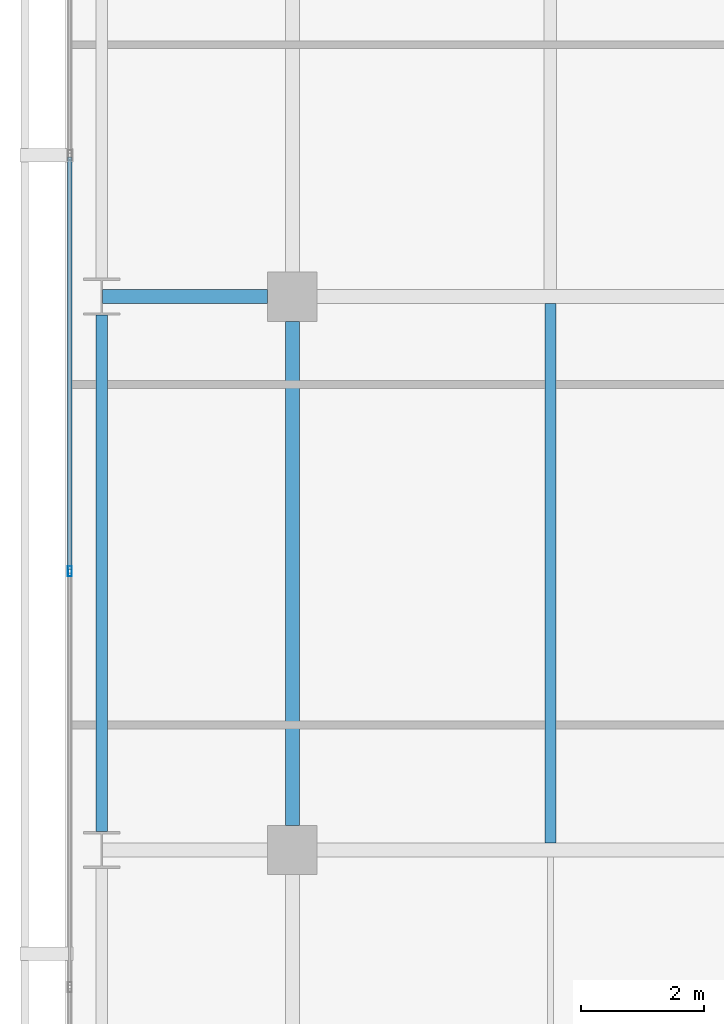
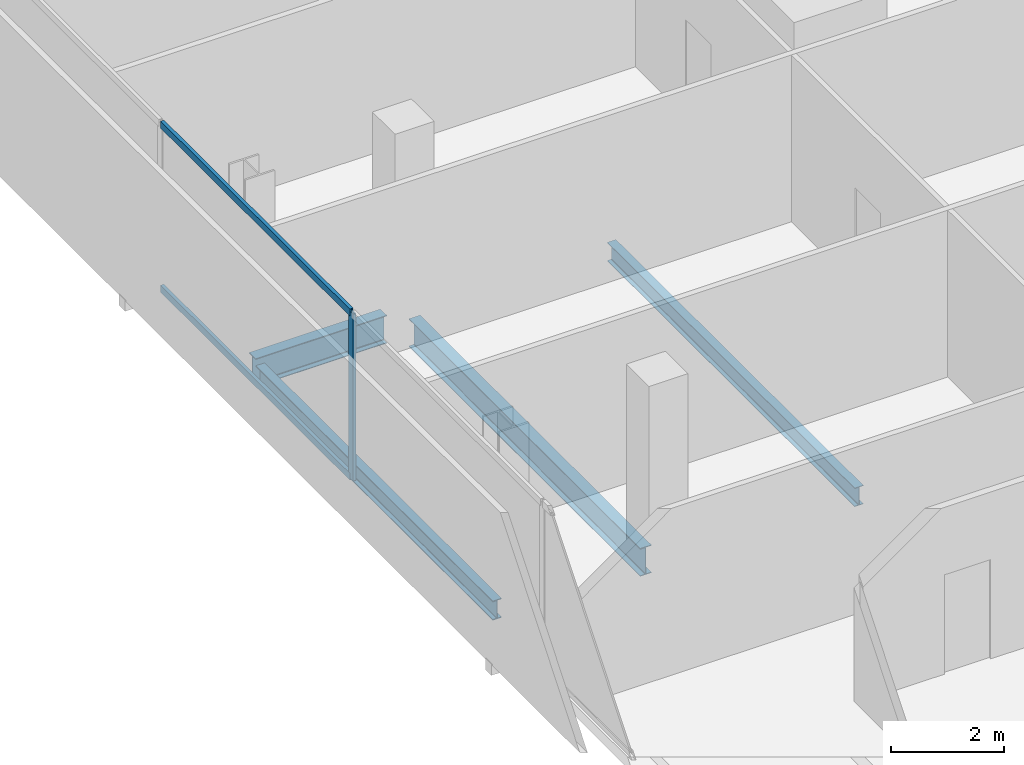
# One storey, part 8 of 33: 4 beams, 3 members, 1 element without a shape of its own.
"""IFC4 building model written with IfcOpenShell, lengths in metres."""

from ifc_helpers import new_model, si_unit, direction, frame, origin, origin_2d, place, context, subcontext, project, spatial, hollow_rectangle, i_section, extrude, material, layer, layer_set, material_profile, profile_set, type_object, element, aggregate, save


model = new_model("IFC4")

# Units and contexts
model_context = context("Model", 3, precision=1e-05, world=origin(), true_north=direction((0.0, 1.0)))
body_context = subcontext(model_context, "Body", "Model", "MODEL_VIEW")
ifc_project = project(units=[si_unit("LENGTHUNIT", "METRE"), si_unit("AREAUNIT", "SQUARE_METRE"), si_unit("VOLUMEUNIT", "CUBIC_METRE"), si_unit("PLANEANGLEUNIT", "RADIAN"), si_unit("MASSUNIT", "GRAM", prefix="KILO")], contexts=[model_context])

# Site, building, storey
site_placement = place(None, origin())
site = spatial("IfcSite", under=ifc_project, at=site_placement, CompositionType="ELEMENT")
building_placement = place(site_placement, origin())
building = spatial("IfcBuilding", under=site, at=building_placement, Name="Maruvema Waterfront Hotel and Observation Tower", CompositionType="ELEMENT")
storey_placement = place(building_placement, frame((0.0, 0.0, 158.199951171875)))
storey = spatial("IfcBuildingStorey", under=building, at=storey_placement, Name="L38", CompositionType="ELEMENT", Elevation=158.199951171875)

# Curtain wall, members
ifc_material_1 = material(Name="Anodised bronze aluminium and solar-control low-E IGU", Category="aluminium")
ifc_layer = layer(ifc_material_1, 0.159912109375, Name="Zone 2 Amber Inner Thermal Curtain Wall System CW-03")
ifc_layer_set = layer_set([ifc_layer], Name="Anodised bronze aluminium and solar-control low-E IGU")
curtain_wall_type = type_object("IfcCurtainWallType", Name="Zone 2 Amber Inner Thermal Curtain Wall System CW-03", PredefinedType="USERDEFINED", material=ifc_layer_set)
curtain_wall_placement = place(storey_placement, origin())
curtain_wall = element("IfcCurtainWall", 1, at=curtain_wall_placement, inside=storey, type_object=curtain_wall_type, Name="L38 Curtain Wall CW-L38-W", ObjectType="UNITISED CURTAIN WALL", PredefinedType="USERDEFINED")
ifc_material_2 = material(Name="Anodised architectural bronze aluminium", Category="aluminium")
ifc_material_profile_1 = material_profile(ifc_material_2, hollow_rectangle(XDim=0.070068359375, YDim=0.14990234375, WallThickness=0.00390625, at=origin_2d()), Name="ALU-T70x150")
ifc_profile_set_1 = profile_set([ifc_material_profile_1], Name="Anodised architectural bronze aluminium")
member_type_1 = type_object("IfcMemberType", Name="Curtain Wall Horizontal Transom ALU-T70x150", PredefinedType="USERDEFINED", material=ifc_profile_set_1)
member_1_placement = place(storey_placement, frame((13.179931640625, 29.27001953125, 0.030029296875), z_axis=(0.0, -1.0, 0.0), x_axis=(1.0, 0.0, 0.0)))
member_1 = element("IfcMember", 2, at=member_1_placement, type_object=member_type_1, Name="CW-03 transom 4.1", ObjectType="TRANSOM", PredefinedType="USERDEFINED", context=body_context, shape_type="SweptSolid", body=[
    extrude(hollow_rectangle(XDim=0.070068359375, YDim=0.14990234375, WallThickness=0.00390625, at=origin_2d()), origin(), (0.0, 0.0, 1.0), 6.706787109375),
])
member_2_placement = place(storey_placement, frame((13.179931640625, 29.27001953125, 3.580078125), z_axis=(0.0, -1.0, 0.0), x_axis=(1.0, 0.0, 0.0)))
member_2 = element("IfcMember", 3, at=member_2_placement, type_object=member_type_1, Name="CW-03 transom 4.2", ObjectType="TRANSOM", PredefinedType="USERDEFINED", context=body_context, shape_type="SweptSolid", body=[
    extrude(hollow_rectangle(XDim=0.070068359375, YDim=0.14990234375, WallThickness=0.00390625, at=origin_2d()), origin(), (0.0, 0.0, 1.0), 6.706787109375),
])
ifc_material_3 = material(Name="Anodised architectural bronze aluminium", Category="aluminium")
ifc_material_profile_2 = material_profile(ifc_material_3, hollow_rectangle(XDim=0.06494140625, YDim=0.1650390625, WallThickness=0.00390625, at=origin_2d()), Name="ALU-M65x165")
ifc_profile_set_2 = profile_set([ifc_material_profile_2], Name="Anodised architectural bronze aluminium")
member_type_2 = type_object("IfcMemberType", Name="Curtain Wall Primary Mullion ALU-M65x165", PredefinedType="MULLION", material=ifc_profile_set_2)
member_3_placement = place(storey_placement, frame((13.179931640625, 22.533447265625, 0.0), z_axis=(0.0, 0.0, 1.0), x_axis=(1.0, 0.0, 0.0)))
member_3 = element("IfcMember", 4, at=member_3_placement, type_object=member_type_2, Name="CW-03 mullion 5", PredefinedType="MULLION", context=body_context, shape_type="SweptSolid", body=[
    extrude(hollow_rectangle(XDim=0.06494140625, YDim=0.1650390625, WallThickness=0.00390625, at=origin_2d()), origin(), (0.0, 0.0, 1.0), 3.610107421875),
])
aggregate(curtain_wall, [member_3, member_1, member_2])

# Beams
ifc_material_4 = material(Name="Steel ASTM A572 Grade 50", Category="steel")
ifc_material_profile_3 = material_profile(ifc_material_4, i_section(OverallWidth=0.180908203125, OverallDepth=0.4169921875, WebThickness=0.010986328125, FlangeThickness=0.018310546875, FilletRadius=0.014892578125, at=origin_2d()), Name="W410x85.0")
ifc_profile_set_3 = profile_set([ifc_material_profile_3], Name="Steel ASTM A572 Grade 50")
beam_type_1 = type_object("IfcBeamType", Name="Perimeter Spandrel Beam W410x85.0", PredefinedType="SPANDREL", material=ifc_profile_set_3)
beam_1_placement = place(storey_placement, frame((13.699951171875, 18.300048828125, -0.448486328125), z_axis=(0.0, 1.0, 0.0), x_axis=(-1.0, 0.0, 0.0)))
element("IfcBeam", 5, at=beam_1_placement, inside=storey, type_object=beam_type_1, Name="L38 Floor Girder NS-02", PredefinedType="SPANDREL", context=body_context, shape_type="SweptSolid", body=[
    extrude(i_section(OverallWidth=0.180908203125, OverallDepth=0.4169921875, WebThickness=0.010986328125, FlangeThickness=0.018310546875, FilletRadius=0.014892578125, at=origin_2d()), origin(), (0.0, 0.0, 1.0), 8.39990234375),
])
ifc_material_5 = material(Name="Steel ASTM A572 Grade 50", Category="steel")
ifc_material_profile_4 = material_profile(ifc_material_5, i_section(OverallWidth=0.22802734375, OverallDepth=0.60302734375, WebThickness=0.010498046875, FlangeThickness=0.014892578125, FilletRadius=0.01806640625, at=origin_2d()), Name="W610x101.0")
ifc_profile_set_4 = profile_set([ifc_material_profile_4], Name="Steel ASTM A572 Grade 50")
beam_type_2 = type_object("IfcBeamType", Name="Primary Floor Girder W610x101.0", PredefinedType="BEAM", material=ifc_profile_set_4)
beam_2_placement = place(storey_placement, frame((13.71240234375, 27.0, -0.54150390625), z_axis=(1.0, 0.0, 0.0), x_axis=(0.0, 1.0, 0.0)))
element("IfcBeam", 6, at=beam_2_placement, inside=storey, type_object=beam_type_2, Name="L38 Floor Girder EW-18", PredefinedType="BEAM", context=body_context, shape_type="SweptSolid", body=[
    extrude(i_section(OverallWidth=0.22802734375, OverallDepth=0.60302734375, WebThickness=0.010498046875, FlangeThickness=0.014892578125, FilletRadius=0.01806640625, at=origin_2d()), origin(), (0.0, 0.0, 1.0), 2.6875),
])
beam_3_placement = place(storey_placement, frame((16.800048828125, 18.39990234375, -0.54150390625), z_axis=(0.0, 1.0, 0.0), x_axis=(-1.0, 0.0, 0.0)))
element("IfcBeam", 7, at=beam_3_placement, inside=storey, type_object=beam_type_2, Name="L38 Floor Girder NS-06", PredefinedType="BEAM", context=body_context, shape_type="SweptSolid", body=[
    extrude(i_section(OverallWidth=0.22802734375, OverallDepth=0.60302734375, WebThickness=0.010498046875, FlangeThickness=0.014892578125, FilletRadius=0.01806640625, at=origin_2d()), origin(), (0.0, 0.0, 1.0), 8.2001953125),
])
ifc_material_6 = material(Name="Steel ASTM A572 Grade 50", Category="steel")
ifc_material_profile_5 = material_profile(ifc_material_6, i_section(OverallWidth=0.177001953125, OverallDepth=0.403076171875, WebThickness=0.007568359375, FlangeThickness=0.010986328125, FilletRadius=0.014892578125, at=origin_2d()), Name="W410x53.0")
ifc_profile_set_5 = profile_set([ifc_material_profile_5], Name="Steel ASTM A572 Grade 50")
beam_type_3 = type_object("IfcBeamType", Name="Secondary Floor Joist W410x53.0", PredefinedType="JOIST", material=ifc_profile_set_5)
beam_4_placement = place(storey_placement, frame((21.0, 18.114013671875, -0.44140625), z_axis=(0.0, 1.0, 0.0), x_axis=(-1.0, 0.0, 0.0)))
element("IfcBeam", 8, at=beam_4_placement, inside=storey, type_object=beam_type_3, Name="L38 Secondary Floor Joist JS-02", PredefinedType="JOIST", context=body_context, shape_type="SweptSolid", body=[
    extrude(i_section(OverallWidth=0.177001953125, OverallDepth=0.403076171875, WebThickness=0.007568359375, FlangeThickness=0.010986328125, FilletRadius=0.014892578125, at=origin_2d()), origin(), (0.0, 0.0, 1.0), 8.77197265625),
])

save(model, "model.ifc")
